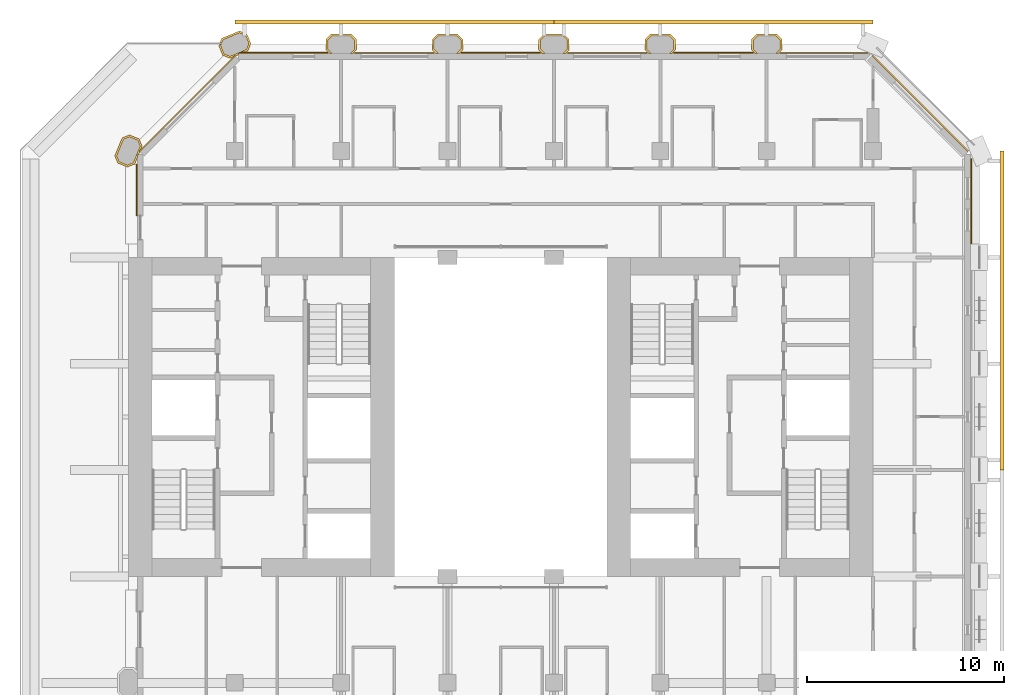
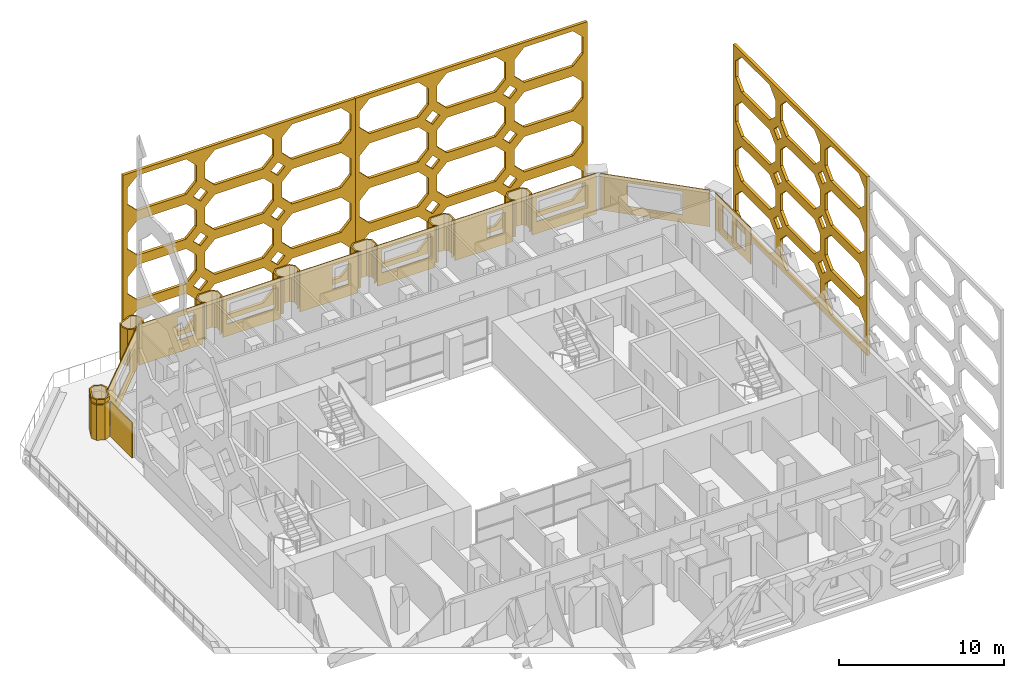
# One storey, part 15 of 16: 21 coverings.
"""IFC4 building model written with IfcOpenShell, lengths in metres."""

from ifc_helpers import new_model, si_unit, direction, frame, frame_2d, origin, place, context, subcontext, project, spatial, polyline, rectangle, outline, extrude, material, layer, layer_set, type_object, element, save


model = new_model("IFC4")

# Units and contexts
model_context = context("Model", 3, precision=1e-05, world=origin(), true_north=direction((0.0, 1.0)))
body_context = subcontext(model_context, "Body", "Model", "MODEL_VIEW")
ifc_project = project(units=[si_unit("LENGTHUNIT", "METRE"), si_unit("AREAUNIT", "SQUARE_METRE"), si_unit("VOLUMEUNIT", "CUBIC_METRE"), si_unit("PLANEANGLEUNIT", "RADIAN"), si_unit("MASSUNIT", "GRAM", prefix="KILO")], contexts=[model_context])

# Site, building, storey
site_placement = place(None, origin())
site = spatial("IfcSite", under=ifc_project, at=site_placement, CompositionType="ELEMENT")
building_placement = place(site_placement, origin())
building = spatial("IfcBuilding", under=site, at=building_placement, Name="Tabaq Tower and Sports Hall", CompositionType="ELEMENT")
storey_placement = place(building_placement, frame((0.0, 0.0, 152.800048828125)))
storey = spatial("IfcBuildingStorey", under=building, at=storey_placement, Name="L35", CompositionType="ELEMENT", Elevation=152.800048828125)

# Coverings
ifc_material_1 = material(Name="Precast concrete C60/75", Category="concrete")
ifc_layer_1 = layer(ifc_material_1, 0.10009765625)
ifc_layer_set_1 = layer_set([ifc_layer_1], Name="Column cladding 100")
covering_type_1 = type_object("IfcCoveringType", Name="Column cladding 100", PredefinedType="CLADDING", material=ifc_layer_set_1)
covering_1_placement = place(storey_placement, origin())
element("IfcCovering", 1, at=covering_1_placement, inside=storey, type_object=covering_type_1, Name="Column cladding L35 PC-2H-H1", PredefinedType="CLADDING", context=body_context, shape_type="SweptSolid", body=[
    extrude(outline(polyline([(4.857421875, 37.186279296875), (4.7041015625, 37.556396484375), (5.080078125, 38.46435546875), (5.450439453125, 38.61767578125), (5.9423828125, 38.413818359375), (6.095947265625, 38.04345703125), (6.026123046875, 37.875), (5.9501953125, 37.799072265625), (5.9814453125, 37.767578125), (5.91796875, 37.614013671875), (5.849609375, 37.614013671875), (5.849609375, 37.44921875), (5.7197265625, 37.1357421875), (5.349609375, 36.982421875), (4.857421875, 37.186279296875)]), holes=[polyline([(5.866455078125, 38.337646484375), (5.450439453125, 38.510009765625), (5.15625, 38.38818359375), (4.811767578125, 37.556396484375), (4.93359375, 37.26220703125), (5.349609375, 37.08984375), (5.643798828125, 37.2119140625), (5.98828125, 38.04345703125), (5.866455078125, 38.337646484375)])]), origin(), (0.0, 0.0, 1.0), 2.599853515625),
])
covering_2_placement = place(storey_placement, frame((0.0, 0.0, 2.699951171875)))
element("IfcCovering", 2, at=covering_2_placement, inside=storey, type_object=covering_type_1, Name="Column cladding L35 PC-2H-H1 2", PredefinedType="CLADDING", context=body_context, shape_type="SweptSolid", body=[
    extrude(outline(polyline([(4.857421875, 37.186279296875), (4.7041015625, 37.556396484375), (5.080078125, 38.46435546875), (5.450439453125, 38.61767578125), (5.9423828125, 38.413818359375), (6.095947265625, 38.04345703125), (6.026123046875, 37.875), (5.9501953125, 37.799072265625), (5.9814453125, 37.767578125), (5.91796875, 37.614013671875), (5.849609375, 37.614013671875), (5.849609375, 37.44921875), (5.7197265625, 37.1357421875), (5.349609375, 36.982421875), (4.857421875, 37.186279296875)]), holes=[polyline([(5.866455078125, 38.337646484375), (5.450439453125, 38.510009765625), (5.15625, 38.38818359375), (4.811767578125, 37.556396484375), (4.93359375, 37.26220703125), (5.349609375, 37.08984375), (5.643798828125, 37.2119140625), (5.98828125, 38.04345703125), (5.866455078125, 38.337646484375)])]), origin(), (0.0, 0.0, 1.0), 0.300048828125),
])
covering_3_placement = place(storey_placement, frame((0.0, 0.0, 0.300048828125)))
element("IfcCovering", 3, at=covering_3_placement, inside=storey, type_object=covering_type_1, Name="Column cladding L35 PC-3I-H1", PredefinedType="CLADDING", context=body_context, shape_type="SweptSolid", body=[
    extrude(outline(polyline([(9.982421875, 43.149658203125), (10.019775390625, 43.23974609375), (10.127197265625, 43.23974609375), (10.08984375, 43.149658203125), (10.26220703125, 42.733642578125), (10.556396484375, 42.61181640625), (11.38818359375, 42.956298828125), (11.510009765625, 43.25048828125), (11.337646484375, 43.66650390625), (11.04345703125, 43.788330078125), (10.2119140625, 43.44384765625), (10.16064453125, 43.3203125), (10.052978515625, 43.3203125), (10.1357421875, 43.519775390625), (11.04345703125, 43.895751953125), (11.413818359375, 43.742431640625), (11.61767578125, 43.25048828125), (11.46435546875, 42.880126953125), (11.295654296875, 42.810302734375), (11.04296875, 42.810302734375), (11.04296875, 42.750244140625), (10.986083984375, 42.750244140625), (10.986083984375, 42.68212890625), (10.83251953125, 42.618408203125), (10.801025390625, 42.64990234375), (10.72509765625, 42.573974609375), (10.556396484375, 42.504150390625), (10.186279296875, 42.657470703125), (9.982421875, 43.149658203125)])), origin(), (0.0, 0.0, 1.0), 2.699951171875),
])
covering_4_placement = place(storey_placement, frame((0.0, 0.0, 0.300048828125)))
element("IfcCovering", 4, at=covering_4_placement, inside=storey, type_object=covering_type_1, Name="Column cladding L35 PC-4I-H1", PredefinedType="CLADDING", context=body_context, shape_type="SweptSolid", body=[
    extrude(outline(polyline([(15.42529296875, 43.46630859375), (15.708740234375, 43.749755859375), (16.69140625, 43.749755859375), (16.974609375, 43.46630859375), (16.974609375, 42.93359375), (16.791259765625, 42.750244140625), (16.650634765625, 42.750244140625), (16.875244140625, 42.974853515625), (16.875244140625, 43.425048828125), (16.650146484375, 43.650390625), (15.749755859375, 43.650390625), (15.524658203125, 43.425048828125), (15.524658203125, 42.974853515625), (15.749267578125, 42.750244140625), (15.608642578125, 42.750244140625), (15.42529296875, 42.93359375), (15.42529296875, 43.46630859375)])), origin(), (0.0, 0.0, 1.0), 2.699951171875),
])
covering_5_placement = place(storey_placement, frame((0.0, 0.0, 0.300048828125)))
element("IfcCovering", 5, at=covering_5_placement, inside=storey, type_object=covering_type_1, Name="Column cladding L35 PC-5I-H1", PredefinedType="CLADDING", context=body_context, shape_type="SweptSolid", body=[
    extrude(outline(polyline([(20.8251953125, 43.46630859375), (21.108642578125, 43.749755859375), (22.09130859375, 43.749755859375), (22.374755859375, 43.46630859375), (22.374755859375, 42.93359375), (22.19140625, 42.750244140625), (22.05078125, 42.750244140625), (22.275390625, 42.974853515625), (22.275390625, 43.425048828125), (22.050048828125, 43.650390625), (21.14990234375, 43.650390625), (20.9248046875, 43.425048828125), (20.9248046875, 42.974853515625), (21.149169921875, 42.750244140625), (21.0087890625, 42.750244140625), (20.8251953125, 42.93359375), (20.8251953125, 43.46630859375)])), origin(), (0.0, 0.0, 1.0), 2.699951171875),
])
covering_6_placement = place(storey_placement, frame((0.0, 0.0, 0.300048828125)))
element("IfcCovering", 6, at=covering_6_placement, inside=storey, type_object=covering_type_1, Name="Column cladding L35 PC-6I-H1", PredefinedType="CLADDING", context=body_context, shape_type="SweptSolid", body=[
    extrude(outline(polyline([(26.225341796875, 43.46630859375), (26.5087890625, 43.749755859375), (27.4912109375, 43.749755859375), (27.774658203125, 43.46630859375), (27.774658203125, 42.93359375), (27.59130859375, 42.750244140625), (27.45068359375, 42.750244140625), (27.67529296875, 42.974853515625), (27.67529296875, 43.425048828125), (27.4501953125, 43.650390625), (26.5498046875, 43.650390625), (26.32470703125, 43.425048828125), (26.32470703125, 42.974853515625), (26.54931640625, 42.750244140625), (26.40869140625, 42.750244140625), (26.225341796875, 42.93359375), (26.225341796875, 43.46630859375)])), origin(), (0.0, 0.0, 1.0), 2.699951171875),
])
covering_7_placement = place(storey_placement, frame((0.0, 0.0, 0.300048828125)))
element("IfcCovering", 7, at=covering_7_placement, inside=storey, type_object=covering_type_1, Name="Column cladding L35 PC-7I-H1", PredefinedType="CLADDING", context=body_context, shape_type="SweptSolid", body=[
    extrude(outline(polyline([(31.625244140625, 43.46630859375), (31.90869140625, 43.749755859375), (32.891357421875, 43.749755859375), (33.1748046875, 43.46630859375), (33.1748046875, 42.93359375), (32.9912109375, 42.750244140625), (32.850830078125, 42.750244140625), (33.0751953125, 42.974853515625), (33.0751953125, 43.425048828125), (32.85009765625, 43.650390625), (31.949951171875, 43.650390625), (31.724609375, 43.425048828125), (31.724609375, 42.974853515625), (31.94921875, 42.750244140625), (31.80859375, 42.750244140625), (31.625244140625, 42.93359375), (31.625244140625, 43.46630859375)])), origin(), (0.0, 0.0, 1.0), 2.699951171875),
])
covering_8_placement = place(storey_placement, frame((0.0, 0.0, 0.300048828125)))
element("IfcCovering", 8, at=covering_8_placement, inside=storey, type_object=covering_type_1, Name="Column cladding L35 PC-8I-H1", PredefinedType="CLADDING", context=body_context, shape_type="SweptSolid", body=[
    extrude(outline(polyline([(37.025390625, 43.46630859375), (37.30859375, 43.749755859375), (38.291259765625, 43.749755859375), (38.57470703125, 43.46630859375), (38.57470703125, 42.93359375), (38.391357421875, 42.750244140625), (38.250732421875, 42.750244140625), (38.475341796875, 42.974853515625), (38.475341796875, 43.425048828125), (38.250244140625, 43.650390625), (37.349853515625, 43.650390625), (37.124755859375, 43.425048828125), (37.124755859375, 42.974853515625), (37.349365234375, 42.750244140625), (37.208740234375, 42.750244140625), (37.025390625, 42.93359375), (37.025390625, 43.46630859375)])), origin(), (0.0, 0.0, 1.0), 2.699951171875),
])
ifc_material_2 = material(Name="White precast concrete C60/75 pierced screen", Category="concrete")
ifc_layer_2 = layer(ifc_material_2, 0.199951171875)
ifc_layer_set_2 = layer_set([ifc_layer_2], Name="TRACERY SCREEN 200 C60/75")
covering_type_2 = type_object("IfcCoveringType", Name="TRACERY SCREEN 200 C60/75", PredefinedType="CLADDING", material=ifc_layer_set_2)
covering_9_placement = place(storey_placement, frame((49.75, 21.60009765625, 0.0), z_axis=(0.0, 0.0, 1.0), x_axis=(0.0, 1.0, 0.0)))
element("IfcCovering", 9, at=covering_9_placement, inside=storey, type_object=covering_type_2, Name="Tracery screen H1 E L35-L38", PredefinedType="CLADDING", context=body_context, shape_type="SweptSolid", body=[
    extrude(outline(polyline([(0.0, 0.0), (16.199951171875, 0.0), (16.199951171875, 13.199951171875), (0.0, 13.199951171875), (0.0, 0.0)]), holes=[polyline([(1.0, 0.349853515625), (4.39990234375, 0.349853515625), (5.10009765625, 1.050048828125), (5.10009765625, 2.25), (4.39990234375, 2.949951171875), (1.0, 2.949951171875), (0.300048828125, 2.25), (0.300048828125, 1.050048828125), (1.0, 0.349853515625)]), polyline([(6.39990234375, 0.349853515625), (9.800048828125, 0.349853515625), (10.5, 1.050048828125), (10.5, 2.25), (9.800048828125, 2.949951171875), (6.39990234375, 2.949951171875), (5.699951171875, 2.25), (5.699951171875, 1.050048828125), (6.39990234375, 0.349853515625)]), polyline([(11.800048828125, 0.349853515625), (15.199951171875, 0.349853515625), (15.89990234375, 1.050048828125), (15.89990234375, 2.25), (15.199951171875, 2.949951171875), (11.800048828125, 2.949951171875), (11.10009765625, 2.25), (11.10009765625, 1.050048828125), (11.800048828125, 0.349853515625)]), polyline([(1.0, 3.64990234375), (4.39990234375, 3.64990234375), (5.10009765625, 4.349853515625), (5.10009765625, 5.550048828125), (4.39990234375, 6.25), (1.0, 6.25), (0.300048828125, 5.550048828125), (0.300048828125, 4.349853515625), (1.0, 3.64990234375)]), polyline([(6.39990234375, 3.64990234375), (9.800048828125, 3.64990234375), (10.5, 4.349853515625), (10.5, 5.550048828125), (9.800048828125, 6.25), (6.39990234375, 6.25), (5.699951171875, 5.550048828125), (5.699951171875, 4.349853515625), (6.39990234375, 3.64990234375)]), polyline([(11.800048828125, 3.64990234375), (15.199951171875, 3.64990234375), (15.89990234375, 4.349853515625), (15.89990234375, 5.550048828125), (15.199951171875, 6.25), (11.800048828125, 6.25), (11.10009765625, 5.550048828125), (11.10009765625, 4.349853515625), (11.800048828125, 3.64990234375)]), polyline([(1.0, 6.949951171875), (4.39990234375, 6.949951171875), (5.10009765625, 7.64990234375), (5.10009765625, 8.849853515625), (4.39990234375, 9.550048828125), (1.0, 9.550048828125), (0.300048828125, 8.849853515625), (0.300048828125, 7.64990234375), (1.0, 6.949951171875)]), polyline([(6.39990234375, 6.949951171875), (9.800048828125, 6.949951171875), (10.5, 7.64990234375), (10.5, 8.849853515625), (9.800048828125, 9.550048828125), (6.39990234375, 9.550048828125), (5.699951171875, 8.849853515625), (5.699951171875, 7.64990234375), (6.39990234375, 6.949951171875)]), polyline([(11.800048828125, 6.949951171875), (15.199951171875, 6.949951171875), (15.89990234375, 7.64990234375), (15.89990234375, 8.849853515625), (15.199951171875, 9.550048828125), (11.800048828125, 9.550048828125), (11.10009765625, 8.849853515625), (11.10009765625, 7.64990234375), (11.800048828125, 6.949951171875)]), polyline([(1.0, 10.25), (4.39990234375, 10.25), (5.10009765625, 10.949951171875), (5.10009765625, 12.14990234375), (4.39990234375, 12.849853515625), (1.0, 12.849853515625), (0.300048828125, 12.14990234375), (0.300048828125, 10.949951171875), (1.0, 10.25)]), polyline([(6.39990234375, 10.25), (9.800048828125, 10.25), (10.5, 10.949951171875), (10.5, 12.14990234375), (9.800048828125, 12.849853515625), (6.39990234375, 12.849853515625), (5.699951171875, 12.14990234375), (5.699951171875, 10.949951171875), (6.39990234375, 10.25)]), polyline([(11.800048828125, 10.25), (15.199951171875, 10.25), (15.89990234375, 10.949951171875), (15.89990234375, 12.14990234375), (15.199951171875, 12.849853515625), (11.800048828125, 12.849853515625), (11.10009765625, 12.14990234375), (11.10009765625, 10.949951171875), (11.800048828125, 10.25)]), polyline([(5.89990234375, 3.300048828125), (5.39990234375, 3.800048828125), (4.89990234375, 3.300048828125), (5.39990234375, 2.800048828125), (5.89990234375, 3.300048828125)]), polyline([(11.300048828125, 3.300048828125), (10.800048828125, 3.800048828125), (10.300048828125, 3.300048828125), (10.800048828125, 2.800048828125), (11.300048828125, 3.300048828125)]), polyline([(5.89990234375, 6.599853515625), (5.39990234375, 7.099853515625), (4.89990234375, 6.599853515625), (5.39990234375, 6.099853515625), (5.89990234375, 6.599853515625)]), polyline([(11.300048828125, 6.599853515625), (10.800048828125, 7.099853515625), (10.300048828125, 6.599853515625), (10.800048828125, 6.099853515625), (11.300048828125, 6.599853515625)]), polyline([(5.89990234375, 9.89990234375), (5.39990234375, 10.39990234375), (4.89990234375, 9.89990234375), (5.39990234375, 9.39990234375), (5.89990234375, 9.89990234375)]), polyline([(11.300048828125, 9.89990234375), (10.800048828125, 10.39990234375), (10.300048828125, 9.89990234375), (10.800048828125, 9.39990234375), (11.300048828125, 9.89990234375)])]), frame((0.0, 0.10009765625, 0.0), z_axis=(0.0, -1.0, 0.0), x_axis=(1.0, 0.0, 0.0)), (0.0, 0.0, 1.0), 0.199951171875),
])
covering_10_placement = place(storey_placement, frame((43.199951171875, 44.35009765625, 0.0), z_axis=(0.0, 0.0, 1.0), x_axis=(-1.0, 0.0, 0.0)))
element("IfcCovering", 10, at=covering_10_placement, inside=storey, type_object=covering_type_2, Name="Tracery screen H1 N L35-L38", PredefinedType="CLADDING", context=body_context, shape_type="SweptSolid", body=[
    extrude(outline(polyline([(0.0, 0.0), (16.199951171875, 0.0), (16.199951171875, 13.199951171875), (0.0, 13.199951171875), (0.0, 0.0)]), holes=[polyline([(1.0, 0.349853515625), (4.39990234375, 0.349853515625), (5.10009765625, 1.050048828125), (5.10009765625, 2.25), (4.39990234375, 2.949951171875), (1.0, 2.949951171875), (0.300048828125, 2.25), (0.300048828125, 1.050048828125), (1.0, 0.349853515625)]), polyline([(6.39990234375, 0.349853515625), (9.800048828125, 0.349853515625), (10.5, 1.050048828125), (10.5, 2.25), (9.800048828125, 2.949951171875), (6.39990234375, 2.949951171875), (5.699951171875, 2.25), (5.699951171875, 1.050048828125), (6.39990234375, 0.349853515625)]), polyline([(11.800048828125, 0.349853515625), (15.199951171875, 0.349853515625), (15.89990234375, 1.050048828125), (15.89990234375, 2.25), (15.199951171875, 2.949951171875), (11.800048828125, 2.949951171875), (11.10009765625, 2.25), (11.10009765625, 1.050048828125), (11.800048828125, 0.349853515625)]), polyline([(1.0, 3.64990234375), (4.39990234375, 3.64990234375), (5.10009765625, 4.349853515625), (5.10009765625, 5.550048828125), (4.39990234375, 6.25), (1.0, 6.25), (0.300048828125, 5.550048828125), (0.300048828125, 4.349853515625), (1.0, 3.64990234375)]), polyline([(6.39990234375, 3.64990234375), (9.800048828125, 3.64990234375), (10.5, 4.349853515625), (10.5, 5.550048828125), (9.800048828125, 6.25), (6.39990234375, 6.25), (5.699951171875, 5.550048828125), (5.699951171875, 4.349853515625), (6.39990234375, 3.64990234375)]), polyline([(11.800048828125, 3.64990234375), (15.199951171875, 3.64990234375), (15.89990234375, 4.349853515625), (15.89990234375, 5.550048828125), (15.199951171875, 6.25), (11.800048828125, 6.25), (11.10009765625, 5.550048828125), (11.10009765625, 4.349853515625), (11.800048828125, 3.64990234375)]), polyline([(1.0, 6.949951171875), (4.39990234375, 6.949951171875), (5.10009765625, 7.64990234375), (5.10009765625, 8.849853515625), (4.39990234375, 9.550048828125), (1.0, 9.550048828125), (0.300048828125, 8.849853515625), (0.300048828125, 7.64990234375), (1.0, 6.949951171875)]), polyline([(6.39990234375, 6.949951171875), (9.800048828125, 6.949951171875), (10.5, 7.64990234375), (10.5, 8.849853515625), (9.800048828125, 9.550048828125), (6.39990234375, 9.550048828125), (5.699951171875, 8.849853515625), (5.699951171875, 7.64990234375), (6.39990234375, 6.949951171875)]), polyline([(11.800048828125, 6.949951171875), (15.199951171875, 6.949951171875), (15.89990234375, 7.64990234375), (15.89990234375, 8.849853515625), (15.199951171875, 9.550048828125), (11.800048828125, 9.550048828125), (11.10009765625, 8.849853515625), (11.10009765625, 7.64990234375), (11.800048828125, 6.949951171875)]), polyline([(1.0, 10.25), (4.39990234375, 10.25), (5.10009765625, 10.949951171875), (5.10009765625, 12.14990234375), (4.39990234375, 12.849853515625), (1.0, 12.849853515625), (0.300048828125, 12.14990234375), (0.300048828125, 10.949951171875), (1.0, 10.25)]), polyline([(6.39990234375, 10.25), (9.800048828125, 10.25), (10.5, 10.949951171875), (10.5, 12.14990234375), (9.800048828125, 12.849853515625), (6.39990234375, 12.849853515625), (5.699951171875, 12.14990234375), (5.699951171875, 10.949951171875), (6.39990234375, 10.25)]), polyline([(11.800048828125, 10.25), (15.199951171875, 10.25), (15.89990234375, 10.949951171875), (15.89990234375, 12.14990234375), (15.199951171875, 12.849853515625), (11.800048828125, 12.849853515625), (11.10009765625, 12.14990234375), (11.10009765625, 10.949951171875), (11.800048828125, 10.25)]), polyline([(5.89990234375, 3.300048828125), (5.39990234375, 3.800048828125), (4.89990234375, 3.300048828125), (5.39990234375, 2.800048828125), (5.89990234375, 3.300048828125)]), polyline([(11.300048828125, 3.300048828125), (10.800048828125, 3.800048828125), (10.300048828125, 3.300048828125), (10.800048828125, 2.800048828125), (11.300048828125, 3.300048828125)]), polyline([(5.89990234375, 6.599853515625), (5.39990234375, 7.099853515625), (4.89990234375, 6.599853515625), (5.39990234375, 6.099853515625), (5.89990234375, 6.599853515625)]), polyline([(11.300048828125, 6.599853515625), (10.800048828125, 7.099853515625), (10.300048828125, 6.599853515625), (10.800048828125, 6.099853515625), (11.300048828125, 6.599853515625)]), polyline([(5.89990234375, 9.89990234375), (5.39990234375, 10.39990234375), (4.89990234375, 9.89990234375), (5.39990234375, 9.39990234375), (5.89990234375, 9.89990234375)]), polyline([(11.300048828125, 9.89990234375), (10.800048828125, 10.39990234375), (10.300048828125, 9.89990234375), (10.800048828125, 9.39990234375), (11.300048828125, 9.89990234375)])]), frame((0.0, 0.10009765625, 0.0), z_axis=(0.0, -1.0, 0.0), x_axis=(1.0, 0.0, 0.0)), (0.0, 0.0, 1.0), 0.199951171875),
])
covering_11_placement = place(storey_placement, frame((27.0, 44.35009765625, 0.0), z_axis=(0.0, 0.0, 1.0), x_axis=(-1.0, 0.0, 0.0)))
element("IfcCovering", 11, at=covering_11_placement, inside=storey, type_object=covering_type_2, Name="Tracery screen H1 N L35-L38", PredefinedType="CLADDING", context=body_context, shape_type="SweptSolid", body=[
    extrude(outline(polyline([(0.0, 0.0), (16.199951171875, 0.0), (16.199951171875, 13.199951171875), (0.0, 13.199951171875), (0.0, 0.0)]), holes=[polyline([(1.0, 0.349853515625), (4.39990234375, 0.349853515625), (5.10009765625, 1.050048828125), (5.10009765625, 2.25), (4.39990234375, 2.949951171875), (1.0, 2.949951171875), (0.300048828125, 2.25), (0.300048828125, 1.050048828125), (1.0, 0.349853515625)]), polyline([(6.39990234375, 0.349853515625), (9.800048828125, 0.349853515625), (10.5, 1.050048828125), (10.5, 2.25), (9.800048828125, 2.949951171875), (6.39990234375, 2.949951171875), (5.699951171875, 2.25), (5.699951171875, 1.050048828125), (6.39990234375, 0.349853515625)]), polyline([(11.800048828125, 0.349853515625), (15.199951171875, 0.349853515625), (15.89990234375, 1.050048828125), (15.89990234375, 2.25), (15.199951171875, 2.949951171875), (11.800048828125, 2.949951171875), (11.10009765625, 2.25), (11.10009765625, 1.050048828125), (11.800048828125, 0.349853515625)]), polyline([(1.0, 3.64990234375), (4.39990234375, 3.64990234375), (5.10009765625, 4.349853515625), (5.10009765625, 5.550048828125), (4.39990234375, 6.25), (1.0, 6.25), (0.300048828125, 5.550048828125), (0.300048828125, 4.349853515625), (1.0, 3.64990234375)]), polyline([(6.39990234375, 3.64990234375), (9.800048828125, 3.64990234375), (10.5, 4.349853515625), (10.5, 5.550048828125), (9.800048828125, 6.25), (6.39990234375, 6.25), (5.699951171875, 5.550048828125), (5.699951171875, 4.349853515625), (6.39990234375, 3.64990234375)]), polyline([(11.800048828125, 3.64990234375), (15.199951171875, 3.64990234375), (15.89990234375, 4.349853515625), (15.89990234375, 5.550048828125), (15.199951171875, 6.25), (11.800048828125, 6.25), (11.10009765625, 5.550048828125), (11.10009765625, 4.349853515625), (11.800048828125, 3.64990234375)]), polyline([(1.0, 6.949951171875), (4.39990234375, 6.949951171875), (5.10009765625, 7.64990234375), (5.10009765625, 8.849853515625), (4.39990234375, 9.550048828125), (1.0, 9.550048828125), (0.300048828125, 8.849853515625), (0.300048828125, 7.64990234375), (1.0, 6.949951171875)]), polyline([(6.39990234375, 6.949951171875), (9.800048828125, 6.949951171875), (10.5, 7.64990234375), (10.5, 8.849853515625), (9.800048828125, 9.550048828125), (6.39990234375, 9.550048828125), (5.699951171875, 8.849853515625), (5.699951171875, 7.64990234375), (6.39990234375, 6.949951171875)]), polyline([(11.800048828125, 6.949951171875), (15.199951171875, 6.949951171875), (15.89990234375, 7.64990234375), (15.89990234375, 8.849853515625), (15.199951171875, 9.550048828125), (11.800048828125, 9.550048828125), (11.10009765625, 8.849853515625), (11.10009765625, 7.64990234375), (11.800048828125, 6.949951171875)]), polyline([(1.0, 10.25), (4.39990234375, 10.25), (5.10009765625, 10.949951171875), (5.10009765625, 12.14990234375), (4.39990234375, 12.849853515625), (1.0, 12.849853515625), (0.300048828125, 12.14990234375), (0.300048828125, 10.949951171875), (1.0, 10.25)]), polyline([(6.39990234375, 10.25), (9.800048828125, 10.25), (10.5, 10.949951171875), (10.5, 12.14990234375), (9.800048828125, 12.849853515625), (6.39990234375, 12.849853515625), (5.699951171875, 12.14990234375), (5.699951171875, 10.949951171875), (6.39990234375, 10.25)]), polyline([(11.800048828125, 10.25), (15.199951171875, 10.25), (15.89990234375, 10.949951171875), (15.89990234375, 12.14990234375), (15.199951171875, 12.849853515625), (11.800048828125, 12.849853515625), (11.10009765625, 12.14990234375), (11.10009765625, 10.949951171875), (11.800048828125, 10.25)]), polyline([(5.89990234375, 3.300048828125), (5.39990234375, 3.800048828125), (4.89990234375, 3.300048828125), (5.39990234375, 2.800048828125), (5.89990234375, 3.300048828125)]), polyline([(11.300048828125, 3.300048828125), (10.800048828125, 3.800048828125), (10.300048828125, 3.300048828125), (10.800048828125, 2.800048828125), (11.300048828125, 3.300048828125)]), polyline([(5.89990234375, 6.599853515625), (5.39990234375, 7.099853515625), (4.89990234375, 6.599853515625), (5.39990234375, 6.099853515625), (5.89990234375, 6.599853515625)]), polyline([(11.300048828125, 6.599853515625), (10.800048828125, 7.099853515625), (10.300048828125, 6.599853515625), (10.800048828125, 6.099853515625), (11.300048828125, 6.599853515625)]), polyline([(5.89990234375, 9.89990234375), (5.39990234375, 10.39990234375), (4.89990234375, 9.89990234375), (5.39990234375, 9.39990234375), (5.89990234375, 9.89990234375)]), polyline([(11.300048828125, 9.89990234375), (10.800048828125, 10.39990234375), (10.300048828125, 9.89990234375), (10.800048828125, 9.39990234375), (11.300048828125, 9.89990234375)])]), frame((0.0, 0.10009765625, 0.0), z_axis=(0.0, -1.0, 0.0), x_axis=(1.0, 0.0, 0.0)), (0.0, 0.0, 1.0), 0.199951171875),
])
ifc_material_3 = material(Name="Precast concrete C60/75", Category="concrete")
ifc_layer_3 = layer(ifc_material_3, 0.06005859375)
ifc_layer_set_3 = layer_set([ifc_layer_3], Name="White precast cladding panel 60 C60/75")
covering_type_3 = type_object("IfcCoveringType", Name="White precast cladding panel 60 C60/75", PredefinedType="CLADDING", material=ifc_layer_set_3)
covering_12_placement = place(storey_placement, frame((48.179931640625, 33.0849609375, 0.31005859375), z_axis=(0.0, 0.0, 1.0), x_axis=(0.0, 1.0, 0.0)))
element("IfcCovering", 12, at=covering_12_placement, inside=storey, type_object=covering_type_3, Name="White precast cladding panel L35 wall02 6", PredefinedType="CLADDING", context=body_context, shape_type="SweptSolid", body=[
    extrude(outline(polyline([(0.0, 0.0), (4.322998046875, 0.0), (4.322998046875, 2.68994140625), (0.0, 2.68994140625), (0.0, 0.0)]), holes=[polyline([(0.655029296875, 2.2998046875), (1.77490234375, 2.2998046875), (1.77490234375, 0.579833984375), (0.655029296875, 0.579833984375), (0.655029296875, 2.2998046875)]), polyline([(2.2548828125, 2.2998046875), (3.375, 2.2998046875), (3.375, 0.579833984375), (2.2548828125, 0.579833984375), (2.2548828125, 2.2998046875)])]), frame((0.0, 0.030029296875, 0.0), z_axis=(0.0, -1.0, 0.0), x_axis=(1.0, 0.0, 0.0)), (0.0, 0.0, 1.0), 0.06005859375),
])
covering_13_placement = place(storey_placement, frame((48.02587890625, 37.7802734375, 0.31005859375), z_axis=(0.0, 0.0, 1.0), x_axis=(-0.707124585489, 0.707088976436, 0.0)))
element("IfcCovering", 13, at=covering_13_placement, inside=storey, type_object=covering_type_3, Name="White precast cladding panel L35 wall03", PredefinedType="CLADDING", context=body_context, shape_type="SweptSolid", body=[
    extrude(outline(polyline([(0.0, 0.0), (6.856201171875, 0.0), (6.856201171875, 2.68994140625), (0.0, 2.68994140625), (0.0, 0.0)]), holes=[polyline([(1.71630859375, 0.579833984375), (1.71630859375, 2.2998046875), (5.13623046875, 2.2998046875), (5.13623046875, 0.579833984375), (1.71630859375, 0.579833984375)])]), frame((0.0, 0.030029296875, 0.0), z_axis=(0.0, -1.0, 0.0), x_axis=(1.0, 0.0, 0.0)), (0.0, 0.0, 1.0), 0.06005859375),
])
covering_14_placement = place(storey_placement, frame((42.956787109375, 42.780029296875, 0.0), z_axis=(0.0, 0.0, 1.0), x_axis=(-1.0, 0.0, 0.0)))
element("IfcCovering", 14, at=covering_14_placement, inside=storey, type_object=covering_type_3, Name="White precast cladding panel L35 wall04", PredefinedType="CLADDING", context=body_context, shape_type="SweptSolid", body=[
    extrude(outline(polyline([(0.0, 0.0), (4.4716796875, 0.0), (4.4716796875, 3.0), (0.0, 3.0), (0.0, 0.0)]), holes=[polyline([(0.746826171875, 0.889892578125), (0.746826171875, 2.60986328125), (4.166748046875, 2.60986328125), (4.166748046875, 0.889892578125), (0.746826171875, 0.889892578125)])]), frame((0.0, 0.030029296875, 0.0), z_axis=(0.0, -1.0, 0.0), x_axis=(1.0, 0.0, 0.0)), (0.0, 0.0, 1.0), 0.06005859375),
])
covering_15_placement = place(storey_placement, frame((37.114990234375, 42.780029296875, 0.0), z_axis=(0.0, 0.0, 1.0), x_axis=(-1.0, 0.0, 0.0)))
element("IfcCovering", 15, at=covering_15_placement, inside=storey, type_object=covering_type_3, Name="White precast cladding panel L35 wall04 2", PredefinedType="CLADDING", context=body_context, shape_type="SweptSolid", body=[
    extrude(outline(polyline([(0.0, 0.0), (4.030029296875, 0.0), (4.030029296875, 3.0), (0.0, 3.0), (0.0, 0.0)]), holes=[polyline([(0.655029296875, 0.889892578125), (0.655029296875, 2.60986328125), (1.77490234375, 2.60986328125), (1.77490234375, 0.889892578125), (0.655029296875, 0.889892578125)])]), frame((0.0, 0.030029296875, 0.0), z_axis=(0.0, -1.0, 0.0), x_axis=(1.0, 0.0, 0.0)), (0.0, 0.0, 1.0), 0.06005859375),
])
covering_16_placement = place(storey_placement, frame((31.715087890625, 42.780029296875, 0.0), z_axis=(0.0, 0.0, 1.0), x_axis=(-1.0, 0.0, 0.0)))
element("IfcCovering", 16, at=covering_16_placement, inside=storey, type_object=covering_type_3, Name="White precast cladding panel L35 wall04 3", PredefinedType="CLADDING", context=body_context, shape_type="SweptSolid", body=[
    extrude(outline(polyline([(0.0, 0.0), (4.030029296875, 0.0), (4.030029296875, 3.0), (0.0, 3.0), (0.0, 0.0)]), holes=[polyline([(0.304931640625, 0.889892578125), (0.304931640625, 2.60986328125), (3.72509765625, 2.60986328125), (3.72509765625, 0.889892578125), (0.304931640625, 0.889892578125)])]), frame((0.0, 0.030029296875, 0.0), z_axis=(0.0, -1.0, 0.0), x_axis=(1.0, 0.0, 0.0)), (0.0, 0.0, 1.0), 0.06005859375),
])
covering_17_placement = place(storey_placement, frame((26.31494140625, 42.780029296875, 0.0), z_axis=(0.0, 0.0, 1.0), x_axis=(-1.0, 0.0, 0.0)))
element("IfcCovering", 17, at=covering_17_placement, inside=storey, type_object=covering_type_3, Name="White precast cladding panel L35 wall04 4", PredefinedType="CLADDING", context=body_context, shape_type="SweptSolid", body=[
    extrude(outline(polyline([(0.0, 0.0), (4.030029296875, 0.0), (4.030029296875, 3.0), (0.0, 3.0), (0.0, 0.0)]), holes=[polyline([(0.655029296875, 0.889892578125), (0.655029296875, 2.60986328125), (1.77490234375, 2.60986328125), (1.77490234375, 0.889892578125), (0.655029296875, 0.889892578125)])]), frame((0.0, 0.030029296875, 0.0), z_axis=(0.0, -1.0, 0.0), x_axis=(1.0, 0.0, 0.0)), (0.0, 0.0, 1.0), 0.06005859375),
])
covering_18_placement = place(storey_placement, frame((20.9150390625, 42.780029296875, 0.0), z_axis=(0.0, 0.0, 1.0), x_axis=(-1.0, 0.0, 0.0)))
element("IfcCovering", 18, at=covering_18_placement, inside=storey, type_object=covering_type_3, Name="White precast cladding panel L35 wall04 5", PredefinedType="CLADDING", context=body_context, shape_type="SweptSolid", body=[
    extrude(outline(polyline([(0.0, 0.0), (4.030029296875, 0.0), (4.030029296875, 3.0), (0.0, 3.0), (0.0, 0.0)]), holes=[polyline([(0.304931640625, 0.889892578125), (0.304931640625, 2.60986328125), (3.72509765625, 2.60986328125), (3.72509765625, 0.889892578125), (0.304931640625, 0.889892578125)])]), frame((0.0, 0.030029296875, 0.0), z_axis=(0.0, -1.0, 0.0), x_axis=(1.0, 0.0, 0.0)), (0.0, 0.0, 1.0), 0.06005859375),
])
covering_19_placement = place(storey_placement, frame((15.514892578125, 42.780029296875, 0.0), z_axis=(0.0, 0.0, 1.0), x_axis=(-1.0, 0.0, 0.0)))
element("IfcCovering", 19, at=covering_19_placement, inside=storey, type_object=covering_type_3, Name="White precast cladding panel L35 wall04 6", PredefinedType="CLADDING", context=body_context, shape_type="SweptSolid", body=[
    extrude(outline(polyline([(0.0, 0.0), (4.4716796875, 0.0), (4.4716796875, 3.0), (0.0, 3.0), (0.0, 0.0)]), holes=[polyline([(0.655029296875, 0.889892578125), (0.655029296875, 2.60986328125), (1.77490234375, 2.60986328125), (1.77490234375, 0.889892578125), (0.655029296875, 0.889892578125)])]), frame((0.0, 0.030029296875, 0.0), z_axis=(0.0, -1.0, 0.0), x_axis=(1.0, 0.0, 0.0)), (0.0, 0.0, 1.0), 0.06005859375),
])
covering_20_placement = place(storey_placement, frame((10.822265625, 42.628173828125, 0.0), z_axis=(0.0, 0.0, 1.0), x_axis=(-0.707124576528, -0.707088985397, 0.0)))
element("IfcCovering", 20, at=covering_20_placement, inside=storey, type_object=covering_type_3, Name="White precast cladding panel L35 wall05", PredefinedType="CLADDING", context=body_context, shape_type="SweptSolid", body=[
    extrude(outline(polyline([(0.0, 0.0), (6.859619140625, 0.0), (6.859619140625, 3.0), (0.0, 3.0), (0.0, 0.0)]), holes=[polyline([(1.7197265625, 0.889892578125), (1.7197265625, 2.60986328125), (5.139892578125, 2.60986328125), (5.139892578125, 0.889892578125), (1.7197265625, 0.889892578125)])]), frame((0.0, 0.030029296875, 0.0), z_axis=(0.0, -1.0, 0.0), x_axis=(1.0, 0.0, 0.0)), (0.0, 0.0, 1.0), 0.06005859375),
])
covering_21_placement = place(storey_placement, frame((5.820068359375, 37.135009765625, 0.0), z_axis=(0.0, 0.0, 1.0), x_axis=(0.0, -1.0, 0.0)))
element("IfcCovering", 21, at=covering_21_placement, inside=storey, type_object=covering_type_3, Name="White precast cladding panel L35 wall06", PredefinedType="CLADDING", context=body_context, shape_type="SweptSolid", body=[
    extrude(rectangle(XDim=2.625, YDim=0.06005859375, at=frame_2d((1.3125, 0.0))), origin(), (0.0, 0.0, 1.0), 2.58984375),
])

save(model, "model.ifc")
